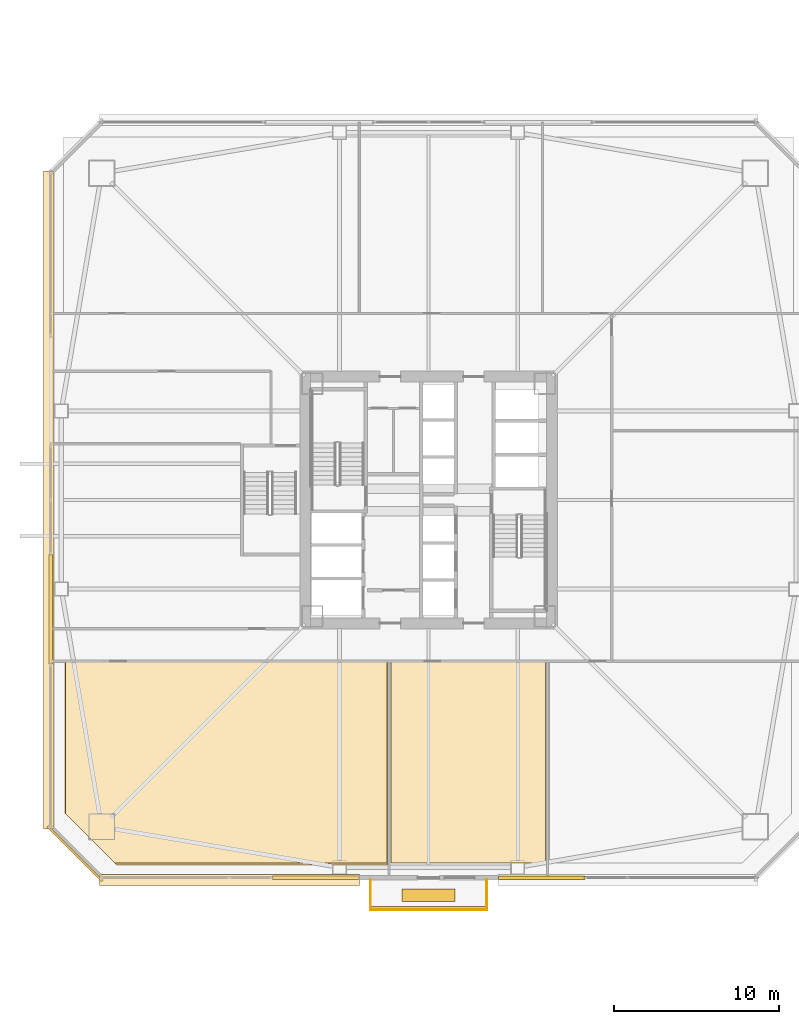
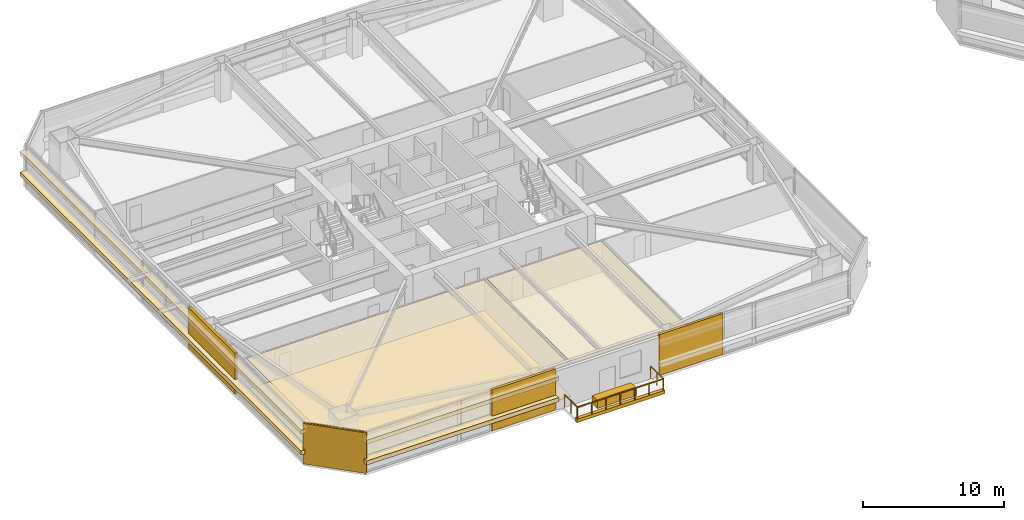
# One storey, part 39 of 46: 13 coverings, 3 railings.
"""IFC4 building model written with IfcOpenShell, lengths in metres."""

from ifc_helpers import new_model, si_unit, direction, frame, origin, origin_2d, place, context, subcontext, project, spatial, polyline, rectangle, outline, extrude, material, layer, layer_set, type_object, element, save


model = new_model("IFC4")

# Units and contexts
model_context = context("Model", 3, precision=1e-05, world=origin(), true_north=direction((0.0, 1.0)))
body_context = subcontext(model_context, "Body", "Model", "MODEL_VIEW")
ifc_project = project(units=[si_unit("LENGTHUNIT", "METRE"), si_unit("AREAUNIT", "SQUARE_METRE"), si_unit("VOLUMEUNIT", "CUBIC_METRE"), si_unit("PLANEANGLEUNIT", "RADIAN"), si_unit("MASSUNIT", "GRAM", prefix="KILO")], contexts=[model_context])

# Site, building, storey
site_placement = place(None, origin())
site = spatial("IfcSite", under=ifc_project, at=site_placement, CompositionType="ELEMENT")
building_placement = place(site_placement, origin())
building = spatial("IfcBuilding", under=site, at=building_placement, Name="Tashvorn Skyway Center", CompositionType="ELEMENT")
storey_placement = place(building_placement, frame((0.0, 0.0, 38.800048828125)))
storey = spatial("IfcBuildingStorey", under=building, at=storey_placement, Name="L09", CompositionType="ELEMENT", Elevation=38.800048828125)

# Coverings
ifc_material_1 = material(Name="Precast concrete C40/50", Category="concrete")
ifc_layer_1 = layer(ifc_material_1, 0.199951171875)
ifc_layer_set_1 = layer_set([ifc_layer_1], Name="Precast concrete C40/50")
covering_type_1 = type_object("IfcCoveringType", Name="COV-BRACE-CLAD", PredefinedType="CLADDING", material=ifc_layer_set_1)
for number, where, z_axis, x_axis, name in (
    (1, (48.85498046875, 9.1201171875, 0.0), (0.0, 0.0, 1.0), (-1.0, 0.0, 0.0), "Tower 1 L09 South Curtain Wall L Mega-Brace Cladding Band 1"),
    (2, (35.14501953125, 9.1201171875, 0.0), (0.0, 0.0, 1.0), (-1.0, 0.0, 0.0), "Tower 1 L09 South Curtain Wall R Mega-Brace Cladding Band 1"),
):
    element("IfcCovering", number, at=place(storey_placement, frame(where, z_axis=z_axis, x_axis=x_axis)), inside=storey, type_object=covering_type_1, Name=name, PredefinedType="CLADDING", context=body_context, shape_type="SweptSolid", body=[
        extrude(rectangle(XDim=5.2099609375, YDim=0.199951171875, at=origin_2d()), origin(), (0.0, 0.0, 1.0), 3.550048828125),
    ])
covering_1_placement = place(storey_placement, frame((19.1201171875, 25.373291015625, 0.0), z_axis=(0.0, 0.0, 1.0), x_axis=(0.0, 1.0, 0.0)))
element("IfcCovering", 3, at=covering_1_placement, inside=storey, type_object=covering_type_1, Name="Tower 1 L09 West Unitised Curtain Wall Mega-Brace Cladding Band 1", PredefinedType="CLADDING", context=body_context, shape_type="SweptSolid", body=[
    extrude(rectangle(XDim=6.626708984375, YDim=0.199951171875, at=origin_2d()), origin(), (0.0, 0.0, 1.0), 3.550048828125),
])
ifc_material_2 = material(Name="Mineral-fibre acoustic ceiling tile on suspended grid")
ifc_layer_2 = layer(ifc_material_2, 0.02001953125)
ifc_layer_set_2 = layer_set([ifc_layer_2], Name="Mineral-fibre acoustic ceiling tile on suspended grid")
covering_type_2 = type_object("IfcCoveringType", Name="COV-CEIL-20", PredefinedType="CEILING", material=ifc_layer_set_2)
covering_2_placement = place(storey_placement, frame((0.0, 0.0, 2.682861328125)))
element("IfcCovering", 4, at=covering_2_placement, inside=storey, type_object=covering_type_2, Name="Tower 1 L09 Operations Control Room Acoustic Ceiling", PredefinedType="CEILING", context=body_context, shape_type="SweptSolid", body=[
    extrude(outline(polyline([(20.02001953125, 22.18994140625), (39.47998046875, 22.18994140625), (39.47998046875, 10.02001953125), (22.97998046875, 10.02001953125), (20.02001953125, 12.97998046875), (20.02001953125, 22.18994140625)])), origin(), (0.0, 0.0, 1.0), 0.02001953125),
])
covering_3_placement = place(storey_placement, frame((0.0, 0.0, 2.682861328125)))
element("IfcCovering", 5, at=covering_3_placement, inside=storey, type_object=covering_type_2, Name="Tower 1 L09 Security Control Room Acoustic Ceiling", PredefinedType="CEILING", context=body_context, shape_type="SweptSolid", body=[
    extrude(outline(polyline([(39.719970703125, 22.18994140625), (49.080078125, 22.18994140625), (49.080078125, 10.02001953125), (39.719970703125, 10.02001953125), (39.719970703125, 22.18994140625)])), origin(), (0.0, 0.0, 1.0), 0.02001953125),
])
ifc_material_3 = material(Name="Polished Mojave desert-aggregate terrazzo and cover plate")
ifc_layer_3 = layer(ifc_material_3, 0.0400390625)
ifc_layer_set_3 = layer_set([ifc_layer_3], Name="Polished Mojave desert-aggregate terrazzo and cover plate")
covering_type_3 = type_object("IfcCoveringType", Name="COV-FLR-40", PredefinedType="FLOORING", material=ifc_layer_set_3)
covering_4_placement = place(storey_placement, origin())
element("IfcCovering", 6, at=covering_4_placement, inside=storey, type_object=covering_type_3, Name="Tower 1 L09 Operations Control Room Finish Flooring", PredefinedType="FLOORING", context=body_context, shape_type="SweptSolid", body=[
    extrude(outline(polyline([(23.10009765625, 9.89990234375), (19.97998046875, 13.02001953125), (19.97998046875, 22.14990234375), (39.52001953125, 22.14990234375), (39.52001953125, 9.89990234375), (23.10009765625, 9.89990234375)])), origin(), (0.0, 0.0, 1.0), 0.0400390625),
])
ifc_material_4 = material(Name="Perforated ceramic-coated bronze aluminium solar screen", Category="aluminium")
ifc_layer_4 = layer(ifc_material_4, 0.85009765625)
ifc_layer_set_4 = layer_set([ifc_layer_4], Name="Perforated ceramic-coated bronze aluminium solar screen")
covering_type_4 = type_object("IfcCoveringType", Name="COV-SOLAR-BAND", PredefinedType="CLADDING", material=ifc_layer_set_4)
for number, where, z_axis, x_axis, name in (
    (7, (29.93505859375, 8.97998046875, 0.919921875), (0.0, 0.0, 1.0), (-1.0, 0.0, 0.0), "L09 Perforated Ceramic-Metal Solar Screen Louvre Band South 1"),
    (8, (29.93505859375, 8.97998046875, 2.7197265625), (0.0, 0.0, 1.0), (-1.0, 0.0, 0.0), "L09 Perforated Ceramic-Metal Solar Screen Louvre Band South 2"),
):
    element("IfcCovering", number, at=place(storey_placement, frame(where, z_axis=z_axis, x_axis=x_axis)), inside=storey, type_object=covering_type_4, Name=name, PredefinedType="CLADDING", context=body_context, shape_type="SweptSolid", body=[
        extrude(rectangle(XDim=15.75, YDim=0.639892578125, at=origin_2d()), origin(), (0.0, 0.0, 1.0), 0.360107421875),
    ])
for number, where, z_axis, x_axis, name in (
    (9, (18.97998046875, 32.0, 0.919921875), (0.0, 0.0, 1.0), (0.0, 1.0, 0.0), "L09 Perforated Ceramic-Metal Solar Screen Louvre Band West 1"),
    (10, (18.97998046875, 32.0, 2.7197265625), (0.0, 0.0, 1.0), (0.0, 1.0, 0.0), "L09 Perforated Ceramic-Metal Solar Screen Louvre Band West 2"),
):
    element("IfcCovering", number, at=place(storey_placement, frame(where, z_axis=z_axis, x_axis=x_axis)), inside=storey, type_object=covering_type_4, Name=name, PredefinedType="CLADDING", context=body_context, shape_type="SweptSolid", body=[
        extrude(rectangle(XDim=39.8798828125, YDim=0.639892578125, at=origin_2d()), origin(), (0.0, 0.0, 1.0), 0.360107421875),
    ])
ifc_layer_5 = layer(ifc_material_1, 0.35009765625)
ifc_layer_set_5 = layer_set([ifc_layer_5], Name="Precast concrete C40/50")
covering_type_5 = type_object("IfcCoveringType", Name="COV-STONE-TRIM", PredefinedType="CLADDING", material=ifc_layer_set_5)
covering_5_placement = place(storey_placement, frame((42.0, 7.239990234375, -0.16015625), z_axis=(0.0, 0.0, 1.0), x_axis=(-1.0, 0.0, 0.0)))
element("IfcCovering", 11, at=covering_5_placement, inside=storey, type_object=covering_type_5, Name="Tower 1 L09 Spiral Terrace Terracotta Fascia", PredefinedType="CLADDING", context=body_context, shape_type="SweptSolid", body=[
    extrude(rectangle(XDim=7.199951171875, YDim=0.280029296875, at=origin_2d()), origin(), (0.0, 0.0, 1.0), 0.280029296875),
])
covering_6_placement = place(storey_placement, frame((42.0, 8.050048828125, 0.0), z_axis=(0.0, 0.0, 1.0), x_axis=(-1.0, 0.0, 0.0)))
element("IfcCovering", 12, at=covering_6_placement, inside=storey, type_object=covering_type_5, Name="Tower 1 L09 Spiral Terrace Planter", PredefinedType="CLADDING", context=body_context, shape_type="SweptSolid", body=[
    extrude(rectangle(XDim=3.199951171875, YDim=0.75, at=origin_2d()), origin(), (0.0, 0.0, 1.0), 0.679931640625),
])
covering_7_placement = place(storey_placement, frame((20.580078125, 10.580078125, 0.02001953125), z_axis=(0.0, 0.0, 1.0), x_axis=(-0.707106781187, 0.707106781187, 0.0)))
element("IfcCovering", 13, at=covering_7_placement, inside=storey, type_object=covering_type_5, Name="Tower 1 L09 SW Mojave Limestone Corner Quoin", PredefinedType="CLADDING", context=body_context, shape_type="SweptSolid", body=[
    extrude(rectangle(XDim=4.685546875, YDim=0.139892578125, at=origin_2d()), origin(), (0.0, 0.0, 1.0), 3.510009765625),
])

# Railings
ifc_material_5 = material(Name="Galvanized steel S355", Category="steel")
railing_type = type_object("IfcRailingType", Name="RAIL-GUARD-1120", PredefinedType="GUARDRAIL", material=ifc_material_5)
railing_1_placement = place(storey_placement, frame((38.47998046875, 9.0, 0.0)))
element("IfcRailing", 14, at=railing_1_placement, inside=storey, type_object=railing_type, Name="L09 Tower 1 Terrace Guardrail 01", PredefinedType="GUARDRAIL", context=body_context, shape_type="SweptSolid", body=[
    extrude(rectangle(XDim=0.048095703125, YDim=0.048095703125, at=origin_2d()), frame((0.0, 0.0, 1.09619140625), z_axis=(0.0, -1.0, 0.0), x_axis=(1.0, 0.0, 0.0)), (0.0, 0.0, 1.0), 1.820068359375),
    extrude(rectangle(XDim=0.0419921875, YDim=0.0419921875, at=origin_2d()), origin(), (0.0, 0.0, 1.0), 1.072021484375),
    extrude(rectangle(XDim=0.0419921875, YDim=0.0419921875, at=origin_2d()), frame((0.0, -0.91015625, 0.0)), (0.0, 0.0, 1.0), 1.072021484375),
    extrude(rectangle(XDim=0.0419921875, YDim=0.0419921875, at=origin_2d()), frame((0.0, -1.820068359375, 0.0)), (0.0, 0.0, 1.0), 1.072021484375),
])
railing_2_placement = place(storey_placement, frame((38.47998046875, 7.179931640625, 0.0)))
element("IfcRailing", 15, at=railing_2_placement, inside=storey, type_object=railing_type, Name="L09 Tower 1 Terrace Guardrail 02", PredefinedType="GUARDRAIL", context=body_context, shape_type="SweptSolid", body=[
    extrude(rectangle(XDim=0.048095703125, YDim=0.048095703125, at=origin_2d()), frame((0.0, 0.0, 1.09619140625), z_axis=(1.0, 0.0, 0.0), x_axis=(0.0, 1.0, 0.0)), (0.0, 0.0, 1.0), 7.0400390625),
    extrude(rectangle(XDim=0.0419921875, YDim=0.0419921875, at=origin_2d()), origin(), (0.0, 0.0, 1.0), 1.072021484375),
    extrude(rectangle(XDim=0.0419921875, YDim=0.0419921875, at=origin_2d()), frame((1.17333984375, 0.0, 0.0)), (0.0, 0.0, 1.0), 1.072021484375),
    extrude(rectangle(XDim=0.0419921875, YDim=0.0419921875, at=origin_2d()), frame((2.3466796875, 0.0, 0.0)), (0.0, 0.0, 1.0), 1.072021484375),
    extrude(rectangle(XDim=0.0419921875, YDim=0.0419921875, at=origin_2d()), frame((3.52001953125, 0.0, 0.0)), (0.0, 0.0, 1.0), 1.072021484375),
    extrude(rectangle(XDim=0.0419921875, YDim=0.0419921875, at=origin_2d()), frame((4.693359375, 0.0, 0.0)), (0.0, 0.0, 1.0), 1.072021484375),
    extrude(rectangle(XDim=0.0419921875, YDim=0.0419921875, at=origin_2d()), frame((5.86669921875, 0.0, 0.0)), (0.0, 0.0, 1.0), 1.072021484375),
    extrude(rectangle(XDim=0.0419921875, YDim=0.0419921875, at=origin_2d()), frame((7.0400390625, 0.0, 0.0)), (0.0, 0.0, 1.0), 1.072021484375),
])
railing_3_placement = place(storey_placement, frame((45.52001953125, 7.179931640625, 0.0)))
element("IfcRailing", 16, at=railing_3_placement, inside=storey, type_object=railing_type, Name="L09 Tower 1 Terrace Guardrail 03", PredefinedType="GUARDRAIL", context=body_context, shape_type="SweptSolid", body=[
    extrude(rectangle(XDim=0.048095703125, YDim=0.048095703125, at=origin_2d()), frame((0.0, 0.0, 1.09619140625), z_axis=(0.0, 1.0, 0.0), x_axis=(-1.0, 0.0, 0.0)), (0.0, 0.0, 1.0), 1.820068359375),
    extrude(rectangle(XDim=0.0419921875, YDim=0.0419921875, at=origin_2d()), origin(), (0.0, 0.0, 1.0), 1.072021484375),
    extrude(rectangle(XDim=0.0419921875, YDim=0.0419921875, at=origin_2d()), frame((0.0, 0.91015625, 0.0)), (0.0, 0.0, 1.0), 1.072021484375),
    extrude(rectangle(XDim=0.0419921875, YDim=0.0419921875, at=origin_2d()), frame((0.0, 1.820068359375, 0.0)), (0.0, 0.0, 1.0), 1.072021484375),
])

save(model, "model.ifc")
